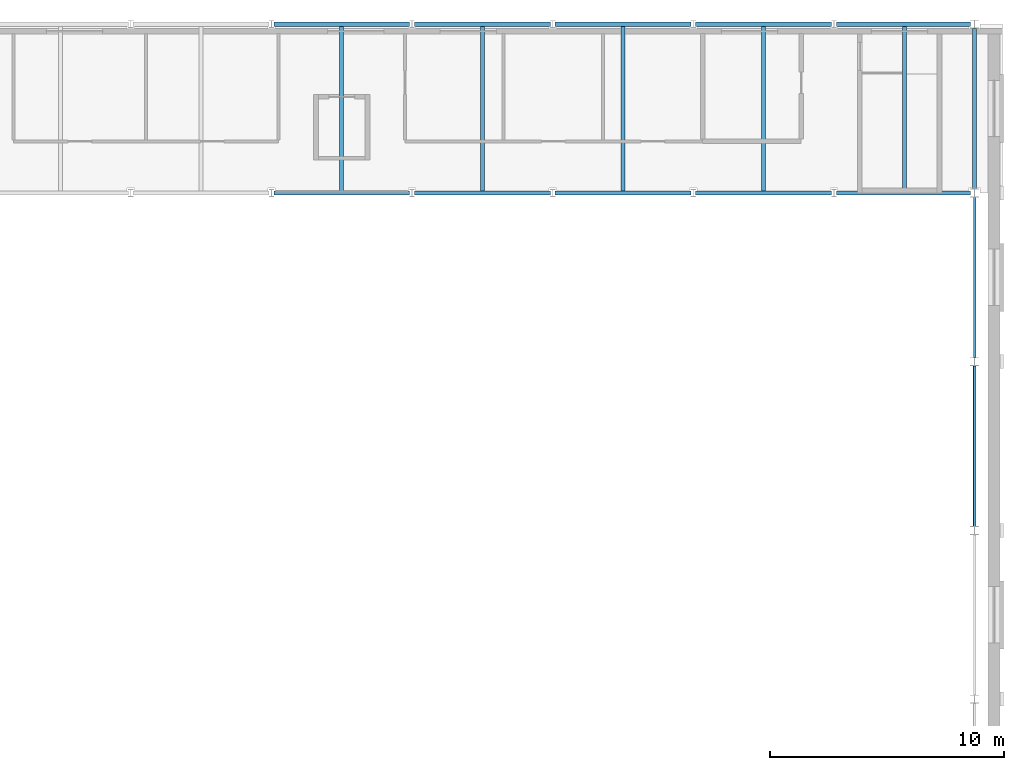
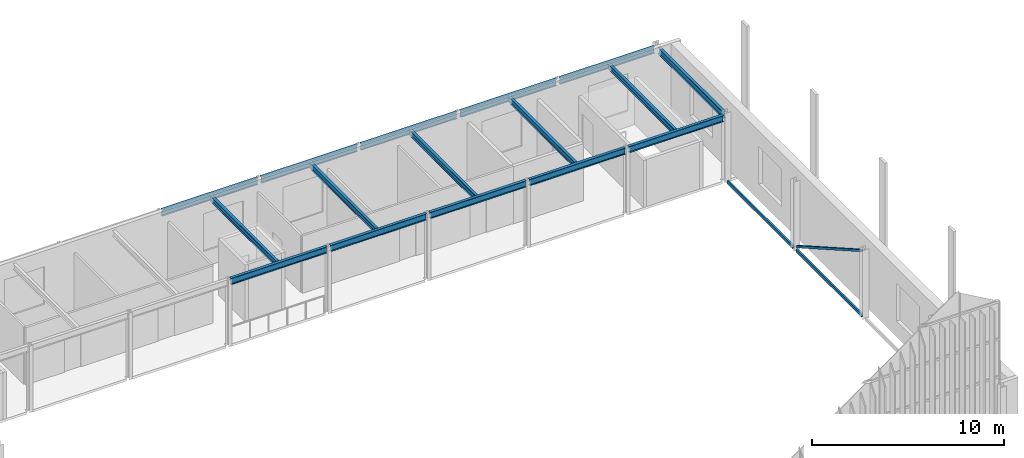
# One storey, part 59 of 169: 18 beams, 1 member.
"""IFC4 building model written with IfcOpenShell, lengths in metres."""

from ifc_helpers import new_model, si_unit, direction, frame, origin, origin_2d, place, context, subcontext, project, spatial, hollow_rectangle, i_section, extrude, material, material_profile, profile_set, type_object, element, save


model = new_model("IFC4")

# Units and contexts
model_context = context("Model", 3, precision=1e-05, world=origin(), true_north=direction((0.0, 1.0)))
body_context = subcontext(model_context, "Body", "Model", "MODEL_VIEW")
ifc_project = project(units=[si_unit("LENGTHUNIT", "METRE"), si_unit("AREAUNIT", "SQUARE_METRE"), si_unit("VOLUMEUNIT", "CUBIC_METRE"), si_unit("PLANEANGLEUNIT", "RADIAN"), si_unit("MASSUNIT", "GRAM", prefix="KILO")], contexts=[model_context])

# Site, building, storey
site_placement = place(None, origin())
site = spatial("IfcSite", under=ifc_project, at=site_placement, CompositionType="ELEMENT")
building_placement = place(site_placement, origin())
building = spatial("IfcBuilding", under=site, at=building_placement, Name="Verrick Yard Athletic Hall", CompositionType="ELEMENT")
storey_placement = place(building_placement, frame((0.0, 0.0, 4.39990234375)))
storey = spatial("IfcBuildingStorey", under=building, at=storey_placement, Name="L01", CompositionType="ELEMENT", Elevation=4.39990234375)

# Beams
ifc_material_1 = material(Name="Structural steel HSS Class C 350W (CSA G40.20/G40.21)", Category="steel")
ifc_material_profile_1 = material_profile(ifc_material_1, hollow_rectangle(XDim=0.1015625, YDim=0.203125, WallThickness=0.009521484375, at=origin_2d()), Name="HSS203x102x9.5")
ifc_profile_set_1 = profile_set([ifc_material_profile_1], Name="Structural steel HSS Class C 350W (CSA G40.20/G40.21)")
beam_type_1 = type_object("IfcBeamType", Name="HB eaves girt HSS203x102x9.5", PredefinedType="BEAM", material=ifc_profile_set_1)
beam_1_placement = place(storey_placement, frame((169.60009765625, 86.577880859375, 0.0), z_axis=(0.0, 1.0, 0.0), x_axis=(-1.0, 0.0, 0.0)))
element("IfcBeam", 1, at=beam_1_placement, inside=storey, type_object=beam_type_1, Name="HB-GT-AE-3-L01", PredefinedType="BEAM", context=body_context, shape_type="SweptSolid", body=[
    extrude(hollow_rectangle(XDim=0.1015625, YDim=0.203125, WallThickness=0.009521484375, at=origin_2d()), origin(), (0.0, 0.0, 1.0), 6.84423828125),
])
beam_2_placement = place(storey_placement, frame((169.60009765625, 93.778076171875, 0.0), z_axis=(0.0, 1.0, 0.0), x_axis=(-1.0, 0.0, 0.0)))
element("IfcBeam", 2, at=beam_2_placement, inside=storey, type_object=beam_type_1, Name="HB-GT-AE-4-L01", PredefinedType="BEAM", context=body_context, shape_type="SweptSolid", body=[
    extrude(hollow_rectangle(XDim=0.1015625, YDim=0.203125, WallThickness=0.009521484375, at=origin_2d()), origin(), (0.0, 0.0, 1.0), 6.843994140625),
])
ifc_material_2 = material(Name="Structural steel 350W (CSA G40.21)", Category="steel")
ifc_material_profile_2 = material_profile(ifc_material_2, i_section(OverallWidth=0.177978515625, OverallDepth=0.406982421875, WebThickness=0.0078125, FlangeThickness=0.0126953125, at=origin_2d()), Name="W410x60")
ifc_profile_set_2 = profile_set([ifc_material_profile_2], Name="Structural steel 350W (CSA G40.21)")
beam_type_2 = type_object("IfcBeamType", Name="HB girder W410x60", PredefinedType="BEAM", material=ifc_profile_set_2)
for number, where, z_axis, x_axis, name in (
    (3, (139.702392578125, 100.800048828125, 4.046630859375), (1.0, 0.0, 0.0), (0.0, 1.0, 0.0), "HB-GB-A-RF-S4"),
    (4, (145.702392578125, 100.800048828125, 4.046630859375), (1.0, 0.0, 0.0), (0.0, 1.0, 0.0), "HB-GB-A-RF-S5"),
    (5, (151.702392578125, 100.800048828125, 4.046630859375), (1.0, 0.0, 0.0), (0.0, 1.0, 0.0), "HB-GB-A-RF-S6"),
    (6, (157.702392578125, 100.800048828125, 4.046630859375), (1.0, 0.0, 0.0), (0.0, 1.0, 0.0), "HB-GB-A-RF-S7"),
):
    element("IfcBeam", number, at=place(storey_placement, frame(where, z_axis=z_axis, x_axis=x_axis)), inside=storey, type_object=beam_type_2, Name=name, PredefinedType="BEAM", context=body_context, shape_type="SweptSolid", body=[
        extrude(i_section(OverallWidth=0.177978515625, OverallDepth=0.406982421875, WebThickness=0.0078125, FlangeThickness=0.0126953125, at=origin_2d()), origin(), (0.0, 0.0, 1.0), 5.795166015625),
    ])
beam_3_placement = place(storey_placement, frame((163.702392578125, 100.800048828125, 4.046630859375), z_axis=(1.0, 0.0, 0.0), x_axis=(0.0, 1.0, 0.0)))
element("IfcBeam", 7, at=beam_3_placement, inside=storey, type_object=beam_type_2, Name="HB-GB-A-RF-S8", PredefinedType="BEAM", context=body_context, shape_type="SweptSolid", body=[
    extrude(i_section(OverallWidth=0.177978515625, OverallDepth=0.406982421875, WebThickness=0.0078125, FlangeThickness=0.0126953125, at=origin_2d()), origin(), (0.0, 0.0, 1.0), 5.713134765625),
])
for number, where, z_axis, x_axis, name in (
    (8, (139.702392578125, 108.0, 4.046630859375), (1.0, 0.0, 0.0), (0.0, 1.0, 0.0), "HB-GB-A-RF-N4"),
    (9, (145.702392578125, 108.0, 4.046630859375), (1.0, 0.0, 0.0), (0.0, 1.0, 0.0), "HB-GB-A-RF-N5"),
    (10, (151.702392578125, 108.0, 4.046630859375), (1.0, 0.0, 0.0), (0.0, 1.0, 0.0), "HB-GB-A-RF-N6"),
    (11, (157.702392578125, 108.0, 4.046630859375), (1.0, 0.0, 0.0), (0.0, 1.0, 0.0), "HB-GB-A-RF-N7"),
):
    element("IfcBeam", number, at=place(storey_placement, frame(where, z_axis=z_axis, x_axis=x_axis)), inside=storey, type_object=beam_type_2, Name=name, PredefinedType="BEAM", context=body_context, shape_type="SweptSolid", body=[
        extrude(i_section(OverallWidth=0.177978515625, OverallDepth=0.406982421875, WebThickness=0.0078125, FlangeThickness=0.0126953125, at=origin_2d()), origin(), (0.0, 0.0, 1.0), 5.795166015625),
    ])
beam_4_placement = place(storey_placement, frame((163.702392578125, 108.0, 4.046630859375), z_axis=(1.0, 0.0, 0.0), x_axis=(0.0, 1.0, 0.0)))
element("IfcBeam", 12, at=beam_4_placement, inside=storey, type_object=beam_type_2, Name="HB-GB-A-RF-N8", PredefinedType="BEAM", context=body_context, shape_type="SweptSolid", body=[
    extrude(i_section(OverallWidth=0.177978515625, OverallDepth=0.406982421875, WebThickness=0.0078125, FlangeThickness=0.0126953125, at=origin_2d()), origin(), (0.0, 0.0, 1.0), 5.713134765625),
])
beam_5_placement = place(storey_placement, frame((169.60009765625, 100.97802734375, 4.046630859375), z_axis=(0.0, 1.0, 0.0), x_axis=(-1.0, 0.0, 0.0)))
element("IfcBeam", 13, at=beam_5_placement, inside=storey, type_object=beam_type_2, Name="HB-EB-A-RF-E", PredefinedType="BEAM", context=body_context, shape_type="SweptSolid", body=[
    extrude(i_section(OverallWidth=0.177978515625, OverallDepth=0.406982421875, WebThickness=0.0078125, FlangeThickness=0.0126953125, at=origin_2d()), origin(), (0.0, 0.0, 1.0), 6.843994140625),
])
ifc_material_profile_3 = material_profile(ifc_material_2, i_section(OverallWidth=0.1708984375, OverallDepth=0.35498046875, WebThickness=0.007080078125, FlangeThickness=0.01171875, at=origin_2d()), Name="W360x51")
ifc_profile_set_3 = profile_set([ifc_material_profile_3], Name="Structural steel 350W (CSA G40.21)")
beam_type_3 = type_object("IfcBeamType", Name="HB secondary beam W360x51", PredefinedType="JOIST", material=ifc_profile_set_3)
for number, where, z_axis, x_axis, name in (
    (14, (142.60009765625, 100.888916015625, 4.072509765625), (0.0, 1.0, 0.0), (-1.0, 0.0, 0.0), "HB-SB-A-RF-4"),
    (15, (148.60009765625, 100.888916015625, 4.072509765625), (0.0, 1.0, 0.0), (-1.0, 0.0, 0.0), "HB-SB-A-RF-5"),
    (16, (154.60009765625, 100.888916015625, 4.072509765625), (0.0, 1.0, 0.0), (-1.0, 0.0, 0.0), "HB-SB-A-RF-6"),
    (17, (160.60009765625, 100.888916015625, 4.072509765625), (0.0, 1.0, 0.0), (-1.0, 0.0, 0.0), "HB-SB-A-RF-7"),
    (18, (166.60009765625, 100.888916015625, 4.072509765625), (0.0, 1.0, 0.0), (-1.0, 0.0, 0.0), "HB-SB-A-RF-8"),
):
    element("IfcBeam", number, at=place(storey_placement, frame(where, z_axis=z_axis, x_axis=x_axis)), inside=storey, type_object=beam_type_3, Name=name, PredefinedType="JOIST", context=body_context, shape_type="SweptSolid", body=[
        extrude(i_section(OverallWidth=0.1708984375, OverallDepth=0.35498046875, WebThickness=0.007080078125, FlangeThickness=0.01171875, at=origin_2d()), origin(), (0.0, 0.0, 1.0), 7.02197265625),
    ])

# Member
ifc_material_profile_4 = material_profile(ifc_material_1, hollow_rectangle(XDim=0.126953125, YDim=0.126953125, WallThickness=0.009521484375, at=origin_2d()), Name="HSS127x127x9.5")
ifc_profile_set_4 = profile_set([ifc_material_profile_4], Name="Structural steel HSS Class C 350W (CSA G40.20/G40.21)")
member_type = type_object("IfcMemberType", Name="HB wall brace HSS127x127x9.5", PredefinedType="BRACE", material=ifc_profile_set_4)
member_placement = place(storey_placement, frame((169.60009765625, 86.609375, 4.130615234375), z_axis=(0.0, 0.869010302149, -0.494793992241), x_axis=(-1.0, 0.0, 0.0)))
element("IfcMember", 19, at=member_placement, inside=storey, type_object=member_type, Name="HB-BRW-AE-3-L01", PredefinedType="BRACE", context=body_context, shape_type="SweptSolid", body=[
    extrude(hollow_rectangle(XDim=0.126953125, YDim=0.126953125, WallThickness=0.009521484375, at=origin_2d()), origin(), (0.0, 0.0, 1.0), 7.803466796875),
])

save(model, "model.ifc")
